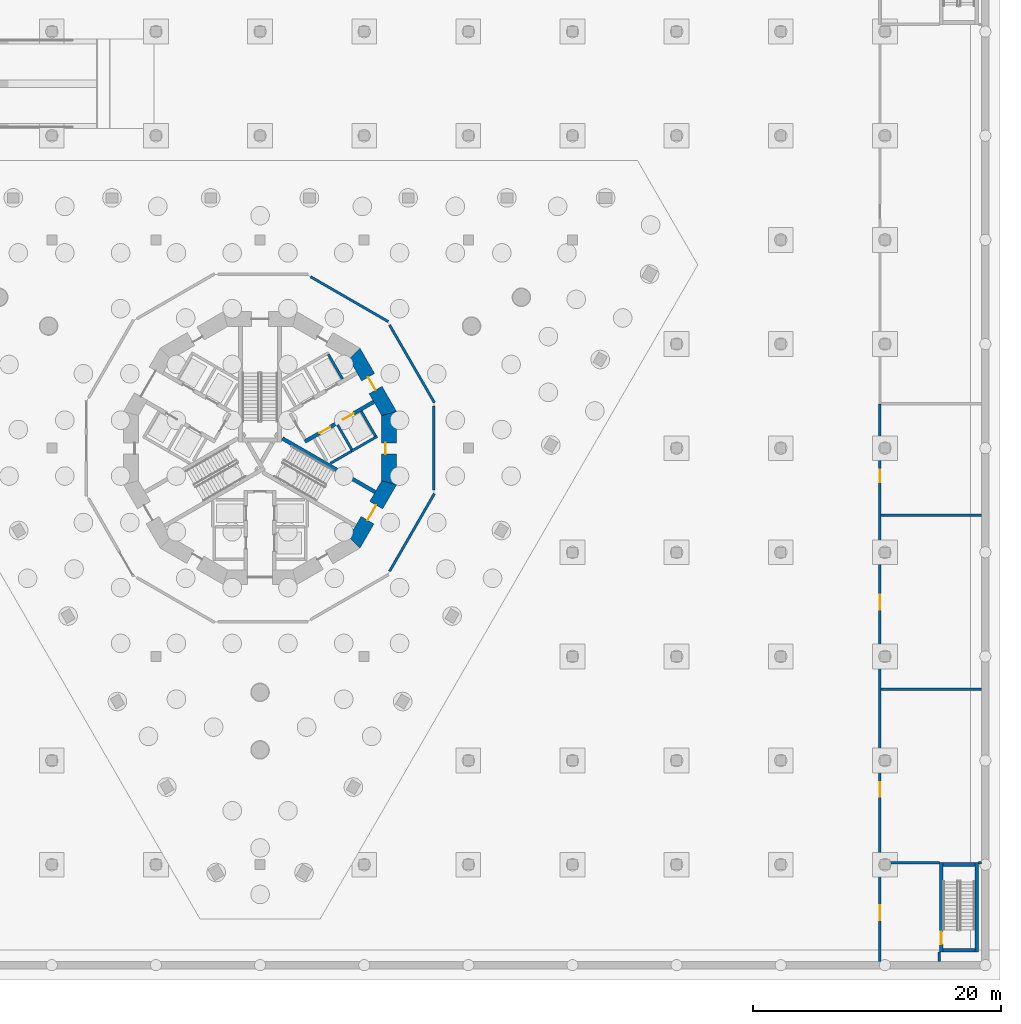
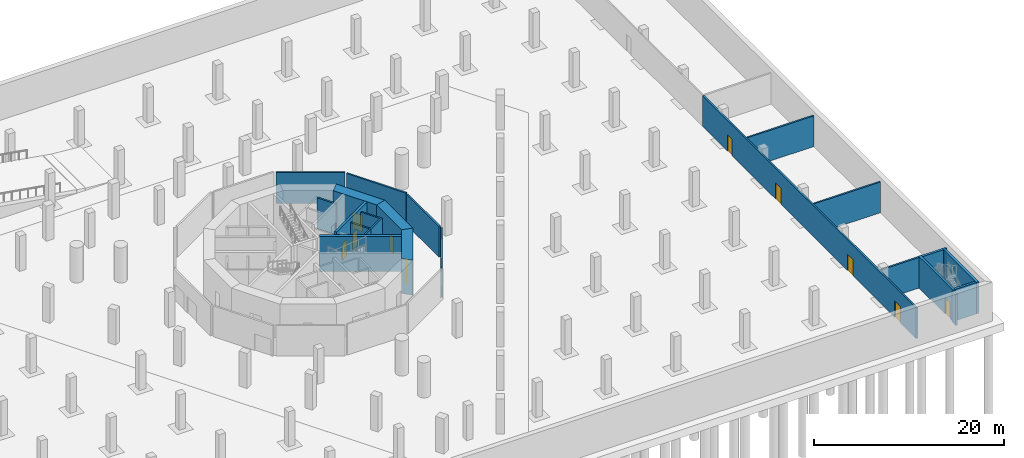
# One storey, part 10 of 23: 24 walls, 10 doors, 10 openings.
"""IFC4 building model written with IfcOpenShell, lengths in metres."""

from ifc_helpers import new_model, si_unit, direction, frame, frame_2d, origin, place, context, subcontext, project, spatial, polyline, rectangle, outline, extrude, material, layer, layer_set, type_object, element, fill, save


model = new_model("IFC4")

# Units and contexts
model_context = context("Model", 3, precision=1e-05, world=origin(), true_north=direction((0.0, 1.0)))
body_context = subcontext(model_context, "Body", "Model", "MODEL_VIEW")
ifc_project = project(units=[si_unit("LENGTHUNIT", "METRE"), si_unit("AREAUNIT", "SQUARE_METRE"), si_unit("VOLUMEUNIT", "CUBIC_METRE"), si_unit("PLANEANGLEUNIT", "RADIAN"), si_unit("MASSUNIT", "GRAM", prefix="KILO")], contexts=[model_context])

# Site, building, storey
site_placement = place(None, origin())
site = spatial("IfcSite", under=ifc_project, at=site_placement, CompositionType="ELEMENT")
building_placement = place(site_placement, origin())
building = spatial("IfcBuilding", under=site, at=building_placement, Name="Trine Commons Tower", CompositionType="ELEMENT")
storey_placement = place(building_placement, frame((0.0, 0.0, -9.0)))
storey = spatial("IfcBuildingStorey", under=building, at=storey_placement, Name="B2", CompositionType="ELEMENT", Elevation=-9.0)

# Walls
ifc_material_1 = material(Name="Plasterboard on steel stud", Category="steel")
ifc_layer_1 = layer(ifc_material_1, 0.199951171875)
ifc_layer_set_1 = layer_set([ifc_layer_1], Name="Plasterboard on steel stud")
wall_type_1 = type_object("IfcWallType", Name="Fire wall 200 mm, EI 120", PredefinedType="PARTITIONING", material=ifc_layer_set_1)
wall_1_placement = place(storey_placement, frame((84.07763671875, 76.324951171875, 0.0), z_axis=(0.0, 0.0, 1.0), x_axis=(0.866029378036, -0.499993116331, 0.0)))
element("IfcWall", 1, at=wall_1_placement, inside=storey, type_object=wall_type_1, Name="Partition B2022", PredefinedType="PARTITIONING", context=body_context, shape_type="SweptSolid", body=[
    extrude(rectangle(XDim=7.2353515625, YDim=0.199951171875, at=frame_2d((3.61767578125, 0.0))), origin(), (0.0, 0.0, 1.0), 3.949951171875),
])
for number, where, z_axis, x_axis, name in (
    (2, (90.44384765625, 52.56591796875, 0.0), (0.0, 0.0, 1.0), (0.499978505984, 0.866037813005, 0.0), "Partition B2023"),
    (3, (90.44384765625, 72.43408203125, 0.0), (0.0, 0.0, 1.0), (0.499978505984, -0.866037813005, 0.0), "Partition B2024"),
):
    element("IfcWall", number, at=place(storey_placement, frame(where, z_axis=z_axis, x_axis=x_axis)), inside=storey, type_object=wall_type_1, Name=name, PredefinedType="PARTITIONING", context=body_context, shape_type="SweptSolid", body=[
        extrude(rectangle(XDim=7.235595703125, YDim=0.199951171875, at=frame_2d((3.61767578125, 0.0))), origin(), (0.0, 0.0, 1.0), 3.949951171875),
    ])
wall_2_placement = place(storey_placement, frame((94.011474609375, 59.118896484375, 0.0), z_axis=(0.0, 0.0, 1.0), x_axis=(0.0, 1.0, 0.0)))
element("IfcWall", 4, at=wall_2_placement, inside=storey, type_object=wall_type_1, Name="Partition B2025", PredefinedType="PARTITIONING", context=body_context, shape_type="SweptSolid", body=[
    extrude(rectangle(XDim=6.76220703125, YDim=0.199951171875, at=frame_2d((3.381103515625, 0.0))), origin(), (0.0, 0.0, 1.0), 3.949951171875),
])

# Wall, openings, doors
wall_3_placement = place(storey_placement, frame((130.0, 21.10009765625, 0.0), z_axis=(0.0, 0.0, 1.0), x_axis=(0.0, 1.0, 0.0)))
wall_3 = element("IfcWall", 5, at=wall_3_placement, inside=storey, type_object=wall_type_1, Name="Partition B2026", PredefinedType="PARTITIONING", context=body_context, shape_type="SweptSolid", body=[
    extrude(rectangle(XDim=44.97021484375, YDim=0.199951171875, at=frame_2d((22.485107421875, 0.0))), origin(), (0.0, 0.0, 1.0), 3.949951171875),
])
opening_1_placement = place(wall_3_placement, frame((3.31005859375, 0.0, 0.0)))
opening_1 = element("IfcOpeningElement", 6, at=opening_1_placement, cuts=wall_3, Name="Opening D-B211", PredefinedType="OPENING", context=body_context, shape_type="SweptSolid", body=[
    extrude(rectangle(XDim=1.199951171875, YDim=2.10009765625, at=frame_2d((0.60009765625, 1.050048828125))), frame((0.0, 0.10986328125, 0.0), z_axis=(0.0, -1.0, 0.0), x_axis=(1.0, 0.0, 0.0)), (0.0, 0.0, 1.0), 0.219970703125),
])
opening_2_placement = place(wall_3_placement, frame((13.27001953125, 0.0, 0.0)))
opening_2 = element("IfcOpeningElement", 7, at=opening_2_placement, cuts=wall_3, Name="Opening D-B212", PredefinedType="OPENING", context=body_context, shape_type="SweptSolid", body=[
    extrude(rectangle(XDim=1.199951171875, YDim=2.10009765625, at=frame_2d((0.60009765625, 1.050048828125))), frame((0.0, 0.10986328125, 0.0), z_axis=(0.0, -1.0, 0.0), x_axis=(1.0, 0.0, 0.0)), (0.0, 0.0, 1.0), 0.219970703125),
])
opening_3_placement = place(wall_3_placement, frame((28.3701171875, 0.0, 0.0)))
opening_3 = element("IfcOpeningElement", 8, at=opening_3_placement, cuts=wall_3, Name="Opening D-B213", PredefinedType="OPENING", context=body_context, shape_type="SweptSolid", body=[
    extrude(rectangle(XDim=1.199951171875, YDim=2.10009765625, at=frame_2d((0.60009765625, 1.050048828125))), frame((0.0, 0.10986328125, 0.0), z_axis=(0.0, -1.0, 0.0), x_axis=(1.0, 0.0, 0.0)), (0.0, 0.0, 1.0), 0.219970703125),
])
opening_4_placement = place(wall_3_placement, frame((38.669921875, 0.0, 0.0)))
opening_4 = element("IfcOpeningElement", 9, at=opening_4_placement, cuts=wall_3, Name="Opening D-B214", PredefinedType="OPENING", context=body_context, shape_type="SweptSolid", body=[
    extrude(rectangle(XDim=1.0, YDim=2.10009765625, at=frame_2d((0.5, 1.050048828125))), frame((0.0, 0.10986328125, 0.0), z_axis=(0.0, -1.0, 0.0), x_axis=(1.0, 0.0, 0.0)), (0.0, 0.0, 1.0), 0.219970703125),
])
ifc_material_2 = material(Name="Timber fire door set", Category="wood")
door_type_1 = type_object("IfcDoorType", Name="Single swing door 1000x2100, FD60", OperationType="SINGLE_SWING_LEFT", PredefinedType="DOOR", material=ifc_material_2)
door_1_placement = place(opening_4_placement, origin())
door_1 = element("IfcDoor", 10, at=door_1_placement, inside=storey, type_object=door_type_1, Name="Door D-B214", OperationType="SINGLE_SWING_LEFT", OverallHeight=2.10009765625, OverallWidth=1.0, PredefinedType="DOOR", context=body_context, shape_type="SweptSolid", body=[
    extrude(rectangle(XDim=1.0, YDim=2.10009765625, at=frame_2d((0.5, 1.050048828125))), frame((0.0, 0.02490234375, 0.0), z_axis=(0.0, -1.0, 0.0), x_axis=(1.0, 0.0, 0.0)), (0.0, 0.0, 1.0), 0.050048828125),
])
fill(opening_4, door_1)
door_type_2 = type_object("IfcDoorType", Name="Single swing door 1200x2100, FD60", OperationType="SINGLE_SWING_LEFT", PredefinedType="DOOR", material=ifc_material_2)
door_2_placement = place(opening_1_placement, origin())
door_2 = element("IfcDoor", 11, at=door_2_placement, inside=storey, type_object=door_type_2, Name="Door D-B211", OperationType="SINGLE_SWING_LEFT", OverallHeight=2.10009765625, OverallWidth=1.199951171875, PredefinedType="DOOR", context=body_context, shape_type="SweptSolid", body=[
    extrude(rectangle(XDim=1.199951171875, YDim=2.10009765625, at=frame_2d((0.60009765625, 1.050048828125))), frame((0.0, 0.02490234375, 0.0), z_axis=(0.0, -1.0, 0.0), x_axis=(1.0, 0.0, 0.0)), (0.0, 0.0, 1.0), 0.050048828125),
])
fill(opening_1, door_2)
door_3_placement = place(opening_2_placement, origin())
door_3 = element("IfcDoor", 12, at=door_3_placement, inside=storey, type_object=door_type_2, Name="Door D-B212", OperationType="SINGLE_SWING_LEFT", OverallHeight=2.10009765625, OverallWidth=1.199951171875, PredefinedType="DOOR", context=body_context, shape_type="SweptSolid", body=[
    extrude(rectangle(XDim=1.199951171875, YDim=2.10009765625, at=frame_2d((0.60009765625, 1.050048828125))), frame((0.0, 0.02490234375, 0.0), z_axis=(0.0, -1.0, 0.0), x_axis=(1.0, 0.0, 0.0)), (0.0, 0.0, 1.0), 0.050048828125),
])
fill(opening_2, door_3)
door_4_placement = place(opening_3_placement, origin())
door_4 = element("IfcDoor", 13, at=door_4_placement, inside=storey, type_object=door_type_2, Name="Door D-B213", OperationType="SINGLE_SWING_LEFT", OverallHeight=2.10009765625, OverallWidth=1.199951171875, PredefinedType="DOOR", context=body_context, shape_type="SweptSolid", body=[
    extrude(rectangle(XDim=1.199951171875, YDim=2.10009765625, at=frame_2d((0.60009765625, 1.050048828125))), frame((0.0, 0.02490234375, 0.0), z_axis=(0.0, -1.0, 0.0), x_axis=(1.0, 0.0, 0.0)), (0.0, 0.0, 1.0), 0.050048828125),
])
fill(opening_3, door_4)

# Walls
wall_4_placement = place(storey_placement, frame((130.10009765625, 29.070068359375, 0.0), z_axis=(0.0, 0.0, 1.0), x_axis=(1.0, 0.0, 0.0)))
element("IfcWall", 14, at=wall_4_placement, inside=storey, type_object=wall_type_1, Name="Partition B2027", PredefinedType="PARTITIONING", context=body_context, shape_type="SweptSolid", body=[
    extrude(rectangle(XDim=4.7001953125, YDim=0.199951171875, at=frame_2d((2.35009765625, 0.0))), origin(), (0.0, 0.0, 1.0), 3.949951171875),
])
for number, where, z_axis, x_axis, name in (
    (15, (130.10009765625, 43.070068359375, 0.0), (0.0, 0.0, 1.0), (1.0, 0.0, 0.0), "Partition B2028"),
    (16, (130.10009765625, 57.070068359375, 0.0), (0.0, 0.0, 1.0), (1.0, 0.0, 0.0), "Partition B2029"),
):
    element("IfcWall", number, at=place(storey_placement, frame(where, z_axis=z_axis, x_axis=x_axis)), inside=storey, type_object=wall_type_1, Name=name, PredefinedType="PARTITIONING", context=body_context, shape_type="SweptSolid", body=[
        extrude(rectangle(XDim=8.099853515625, YDim=0.199951171875, at=frame_2d((4.0498046875, 0.0))), origin(), (0.0, 0.0, 1.0), 3.949951171875),
    ])
wall_5_placement = place(storey_placement, frame((134.800048828125, 21.10009765625, 0.0), z_axis=(0.0, 0.0, 1.0), x_axis=(0.0, 1.0, 0.0)))
element("IfcWall", 17, at=wall_5_placement, inside=storey, type_object=wall_type_1, Name="Partition B2034", PredefinedType="PARTITIONING", context=body_context, shape_type="SweptSolid", body=[
    extrude(rectangle(XDim=0.747802734375, YDim=0.199951171875, at=frame_2d((0.3740234375, 0.0))), origin(), (0.0, 0.0, 1.0), 3.949951171875),
])
wall_6_placement = place(storey_placement, frame((137.951904296875, 29.070068359375, 0.0), z_axis=(0.0, 0.0, 1.0), x_axis=(1.0, 0.0, 0.0)))
element("IfcWall", 18, at=wall_6_placement, inside=storey, type_object=wall_type_1, Name="Partition B2035", PredefinedType="PARTITIONING", context=body_context, shape_type="SweptSolid", body=[
    extrude(rectangle(XDim=0.248046875, YDim=0.199951171875, at=frame_2d((0.1240234375, 0.0))), origin(), (0.0, 0.0, 1.0), 3.949951171875),
])

# Wall, opening, door
ifc_material_3 = material(Name="Concrete C80/95", Category="concrete")
ifc_layer_2 = layer(ifc_material_3, 1.199951171875)
ifc_layer_set_2 = layer_set([ifc_layer_2], Name="Concrete C80/95")
wall_type_2 = type_object("IfcWallType", Name="RC shear wall 1200 mm, C80/95", PredefinedType="SHEAR", material=ifc_layer_set_2)
wall_7_placement = place(storey_placement, frame((90.41162109375, 59.549560546875, 0.0), z_axis=(0.0, 0.0, 1.0), x_axis=(0.0, 1.0, 0.0)))
wall_7 = element("IfcWall", 19, at=wall_7_placement, inside=storey, type_object=wall_type_2, Name="Core wall CWA-01 B2", PredefinedType="SHEAR", context=body_context, shape_type="SweptSolid", body=[
    extrude(outline(polyline([(0.0, -0.60009765625), (5.90087890625, -0.60009765625), (5.57958984375, 0.60009765625), (0.321533203125, 0.60009765625), (0.0, -0.60009765625)])), origin(), (0.0, 0.0, 1.0), 4.5),
])
opening_5_placement = place(wall_7_placement, frame((2.4755859375, 0.0, 0.0)))
opening_5 = element("IfcOpeningElement", 20, at=opening_5_placement, cuts=wall_7, Name="Opening K01.16", PredefinedType="OPENING", context=body_context, shape_type="SweptSolid", body=[
    extrude(rectangle(XDim=0.89990234375, YDim=2.10009765625, at=frame_2d((0.449951171875, 1.050048828125))), frame((0.0, 0.60986328125, 0.0), z_axis=(0.0, -1.0, 0.0), x_axis=(1.0, 0.0, 0.0)), (0.0, 0.0, 1.0), 1.219970703125),
])
ifc_material_4 = material(Name="Steel door leaf, fire-rated", Category="steel")
door_type_3 = type_object("IfcDoorType", Name="Core room door, single leaf 900 x 2100, FD30S", OperationType="SINGLE_SWING_LEFT", PredefinedType="DOOR", material=ifc_material_4)
door_5_placement = place(opening_5_placement, origin())
door_5 = element("IfcDoor", 21, at=door_5_placement, inside=storey, type_object=door_type_3, Name="Door to Store B2", OperationType="SINGLE_SWING_LEFT", OverallHeight=2.10009765625, OverallWidth=0.89990234375, PredefinedType="DOOR", context=body_context, shape_type="SweptSolid", body=[
    extrude(rectangle(XDim=0.89990234375, YDim=2.10009765625, at=frame_2d((0.449951171875, 1.050048828125))), frame((0.0, 0.3251953125, 0.0), z_axis=(0.0, -1.0, 0.0), x_axis=(1.0, 0.0, 0.0)), (0.0, 0.0, 1.0), 0.050048828125),
])
fill(opening_5, door_5)

wall_8_placement = place(storey_placement, frame((90.491943359375, 65.150390625, 0.0), z_axis=(0.0, 0.0, 1.0), x_axis=(-0.499979111662, 0.866037463336, 0.0)))
wall_8 = element("IfcWall", 22, at=wall_8_placement, inside=storey, type_object=wall_type_2, Name="Core wall CWA-02 B2", PredefinedType="SHEAR", context=body_context, shape_type="SweptSolid", body=[
    extrude(outline(polyline([(0.0, -0.60009765625), (5.901123046875, -0.60009765625), (5.57958984375, 0.60009765625), (0.321533203125, 0.60009765625), (0.0, -0.60009765625)])), origin(), (0.0, 0.0, 1.0), 4.5),
])
opening_6_placement = place(wall_8_placement, frame((2.3505859375, 0.0, 0.0)))
opening_6 = element("IfcOpeningElement", 23, at=opening_6_placement, cuts=wall_8, Name="Opening K01.04", PredefinedType="OPENING", context=body_context, shape_type="SweptSolid", body=[
    extrude(rectangle(XDim=1.199951171875, YDim=2.10009765625, at=frame_2d((0.60009765625, 1.050048828125))), frame((0.0, 0.60986328125, 0.0), z_axis=(0.0, -1.0, 0.0), x_axis=(1.0, 0.0, 0.0)), (0.0, 0.0, 1.0), 1.219970703125),
])
ifc_material_5 = material(Name="Steel door leaves, fire-rated", Category="steel")
door_type_4 = type_object("IfcDoorType", Name="Lobby door, double leaf 1200 x 2100, FD60", OperationType="DOUBLE_DOOR_SINGLE_SWING", PredefinedType="DOOR", material=ifc_material_5)
door_6_placement = place(opening_6_placement, origin())
door_6 = element("IfcDoor", 24, at=door_6_placement, inside=storey, type_object=door_type_4, Name="Lobby door, Passenger lift lobby A B2", OperationType="DOUBLE_DOOR_SINGLE_SWING", OverallHeight=2.10009765625, OverallWidth=1.199951171875, PredefinedType="DOOR", context=body_context, shape_type="SweptSolid", body=[
    extrude(rectangle(XDim=1.199951171875, YDim=2.10009765625, at=frame_2d((0.60009765625, 1.050048828125))), frame((0.0, 0.02490234375, 0.0), z_axis=(0.0, -1.0, 0.0), x_axis=(1.0, 0.0, 0.0)), (0.0, 0.0, 1.0), 0.050048828125),
])
fill(opening_6, door_6)

wall_9_placement = place(storey_placement, frame((87.54150390625, 54.739013671875, 0.0), z_axis=(0.0, 0.0, 1.0), x_axis=(0.499979111662, 0.866037463336, 0.0)))
wall_9 = element("IfcWall", 25, at=wall_9_placement, inside=storey, type_object=wall_type_2, Name="Core wall CWA-12 B2", PredefinedType="SHEAR", context=body_context, shape_type="SweptSolid", body=[
    extrude(outline(polyline([(0.0, -0.60009765625), (5.901123046875, -0.60009765625), (5.57958984375, 0.60009765625), (0.321533203125, 0.60009765625), (0.0, -0.60009765625)])), origin(), (0.0, 0.0, 1.0), 4.5),
])
opening_7_placement = place(wall_9_placement, frame((2.25048828125, 0.0, 0.0)))
opening_7 = element("IfcOpeningElement", 26, at=opening_7_placement, cuts=wall_9, Name="Opening K01.03", PredefinedType="OPENING", context=body_context, shape_type="SweptSolid", body=[
    extrude(rectangle(XDim=1.39990234375, YDim=2.10009765625, at=frame_2d((0.699951171875, 1.050048828125))), frame((0.0, 0.60986328125, 0.0), z_axis=(0.0, -1.0, 0.0), x_axis=(1.0, 0.0, 0.0)), (0.0, 0.0, 1.0), 1.219970703125),
])
door_type_5 = type_object("IfcDoorType", Name="Stair door, double leaf 1400 x 2100, FD90", OperationType="DOUBLE_DOOR_SINGLE_SWING", PredefinedType="DOOR", material=ifc_material_5)
door_7_placement = place(opening_7_placement, origin())
door_7 = element("IfcDoor", 27, at=door_7_placement, inside=storey, type_object=door_type_5, Name="Stair door to Exit stair ST3A B2", OperationType="DOUBLE_DOOR_SINGLE_SWING", OverallHeight=2.10009765625, OverallWidth=1.39990234375, PredefinedType="DOOR", context=body_context, shape_type="SweptSolid", body=[
    extrude(rectangle(XDim=1.39990234375, YDim=2.10009765625, at=frame_2d((0.699951171875, 1.050048828125))), frame((0.0, 0.02490234375, 0.0), z_axis=(0.0, -1.0, 0.0), x_axis=(1.0, 0.0, 0.0)), (0.0, 0.0, 1.0), 0.050048828125),
])
fill(opening_7, door_7)

# Wall, openings, doors
ifc_layer_3 = layer(ifc_material_3, 0.300048828125)
ifc_layer_set_3 = layer_set([ifc_layer_3], Name="Concrete C80/95")
wall_type_3 = type_object("IfcWallType", Name="RC shear wall 300 mm, C80/95", PredefinedType="SHEAR", material=ifc_layer_set_3)
wall_10_placement = place(storey_placement, frame((83.618896484375, 63.031005859375, 0.0), z_axis=(0.0, 0.0, 1.0), x_axis=(0.866032150378, 0.499988314375, 0.0)))
wall_10 = element("IfcWall", 28, at=wall_10_placement, inside=storey, type_object=wall_type_3, Name="Core wall SWA-06 B2", PredefinedType="SHEAR", context=body_context, shape_type="SweptSolid", body=[
    extrude(rectangle(XDim=6.412353515625, YDim=0.300048828125, at=frame_2d((3.2060546875, 0.0))), origin(), (0.0, 0.0, 1.0), 4.5),
])
opening_8_placement = place(wall_10_placement, frame((3.55029296875, 0.0, 0.0)))
opening_8 = element("IfcOpeningElement", 29, at=opening_8_placement, cuts=wall_10, Name="Opening LD2", PredefinedType="OPENING", context=body_context, shape_type="SweptSolid", body=[
    extrude(rectangle(XDim=1.0, YDim=2.10009765625, at=frame_2d((0.5, 1.050048828125))), frame((0.0, 0.159912109375, 0.0), z_axis=(0.0, -1.0, 0.0), x_axis=(1.0, 0.0, 0.0)), (0.0, 0.0, 1.0), 0.320068359375),
])
opening_9_placement = place(wall_10_placement, frame((1.350341796875, 0.0, 0.0)))
opening_9 = element("IfcOpeningElement", 30, at=opening_9_placement, cuts=wall_10, Name="Opening LD6", PredefinedType="OPENING", context=body_context, shape_type="SweptSolid", body=[
    extrude(rectangle(XDim=1.0, YDim=2.10009765625, at=frame_2d((0.5, 1.050048828125))), frame((0.0, 0.159912109375, 0.0), z_axis=(0.0, -1.0, 0.0), x_axis=(1.0, 0.0, 0.0)), (0.0, 0.0, 1.0), 0.320068359375),
])
ifc_material_6 = material(Name="Stainless steel sliding door leaves", Category="steel")
door_type_6 = type_object("IfcDoorType", Name="Lift landing door, centre-opening sliding 1000 x 2100, FD90", OperationType="DOUBLE_DOOR_SLIDING", PredefinedType="DOOR", material=ifc_material_6)
door_8_placement = place(opening_8_placement, origin())
door_8 = element("IfcDoor", 31, at=door_8_placement, inside=storey, type_object=door_type_6, Name="Lift landing door LR2 B2", OperationType="DOUBLE_DOOR_SLIDING", OverallHeight=2.10009765625, OverallWidth=1.0, PredefinedType="DOOR", context=body_context, shape_type="SweptSolid", body=[
    extrude(rectangle(XDim=1.0, YDim=2.10009765625, at=frame_2d((0.5, 1.050048828125))), frame((0.0, 0.02490234375, 0.0), z_axis=(0.0, -1.0, 0.0), x_axis=(1.0, 0.0, 0.0)), (0.0, 0.0, 1.0), 0.050048828125),
])
fill(opening_8, door_8)
door_9_placement = place(opening_9_placement, origin())
door_9 = element("IfcDoor", 32, at=door_9_placement, inside=storey, type_object=door_type_6, Name="Lift landing door HR2 B2", OperationType="DOUBLE_DOOR_SLIDING", OverallHeight=2.10009765625, OverallWidth=1.0, PredefinedType="DOOR", context=body_context, shape_type="SweptSolid", body=[
    extrude(rectangle(XDim=1.0, YDim=2.10009765625, at=frame_2d((0.5, 1.050048828125))), frame((0.0, 0.02490234375, 0.0), z_axis=(0.0, -1.0, 0.0), x_axis=(1.0, 0.0, 0.0)), (0.0, 0.0, 1.0), 0.050048828125),
])
fill(opening_9, door_9)

# Walls
wall_11_placement = place(storey_placement, frame((81.800048828125, 63.280029296875, 0.0), z_axis=(0.0, 0.0, 1.0), x_axis=(0.865965399159, -0.500103916661, 0.0)))
element("IfcWall", 33, at=wall_11_placement, inside=storey, type_object=wall_type_3, Name="Core wall SWA-18 B2", PredefinedType="SHEAR", context=body_context, shape_type="SweptSolid", body=[
    extrude(rectangle(XDim=8.642333984375, YDim=0.300048828125, at=frame_2d((4.3212890625, 0.0))), origin(), (0.0, 0.0, 1.0), 4.5),
])
ifc_material_7 = material(Name="Concrete C40/50", Category="concrete")
ifc_layer_4 = layer(ifc_material_7, 0.300048828125)
ifc_layer_set_4 = layer_set([ifc_layer_4], Name="Concrete C40/50")
wall_type_4 = type_object("IfcWallType", Name="RC stair enclosure wall 300 mm, C40/50", PredefinedType="SHEAR", material=ifc_layer_set_4)
wall_12_placement = place(storey_placement, frame((137.800048828125, 21.85009765625, 0.0), z_axis=(0.0, 0.0, 1.0), x_axis=(0.0, 1.0, 0.0)))
element("IfcWall", 34, at=wall_12_placement, inside=storey, type_object=wall_type_4, Name="Stair STB2 enclosure wall B2", PredefinedType="SHEAR", context=body_context, shape_type="SweptSolid", body=[
    extrude(rectangle(XDim=7.219970703125, YDim=0.300048828125, at=frame_2d((3.60986328125, 0.0))), origin(), (0.0, 0.0, 1.0), 4.050048828125),
])

# Wall, opening, door
wall_13_placement = place(storey_placement, frame((134.949951171875, 21.85009765625, 0.0), z_axis=(0.0, 0.0, 1.0), x_axis=(0.0, 1.0, 0.0)))
wall_13 = element("IfcWall", 35, at=wall_13_placement, inside=storey, type_object=wall_type_4, Name="Stair STB2 enclosure wall B2", PredefinedType="SHEAR", context=body_context, shape_type="SweptSolid", body=[
    extrude(rectangle(XDim=7.219970703125, YDim=0.300048828125, at=frame_2d((3.60986328125, 0.0))), origin(), (0.0, 0.0, 1.0), 4.050048828125),
])
opening_10_placement = place(wall_13_placement, frame((0.64990234375, 0.0, 0.0)))
opening_10 = element("IfcOpeningElement", 36, at=opening_10_placement, cuts=wall_13, Name="Opening D-S04", PredefinedType="OPENING", context=body_context, shape_type="SweptSolid", body=[
    extrude(rectangle(XDim=1.0, YDim=2.10009765625, at=frame_2d((0.5, 1.050048828125))), frame((0.0, 0.159912109375, 0.0), z_axis=(0.0, -1.0, 0.0), x_axis=(1.0, 0.0, 0.0)), (0.0, 0.0, 1.0), 0.320068359375),
])
ifc_material_8 = material(Name="Steel fire door FD90S", Category="steel")
door_type_7 = type_object("IfcDoorType", Name="Fire door 1000 x 2100, FD90S", OperationType="SINGLE_SWING_LEFT", PredefinedType="DOOR", material=ifc_material_8)
door_10_placement = place(opening_10_placement, origin())
door_10 = element("IfcDoor", 37, at=door_10_placement, inside=storey, type_object=door_type_7, Name="Stair STB2 door B2", OperationType="SINGLE_SWING_LEFT", OverallHeight=2.10009765625, OverallWidth=1.0, PredefinedType="DOOR", context=body_context, shape_type="SweptSolid", body=[
    extrude(rectangle(XDim=1.0, YDim=2.10009765625, at=frame_2d((0.5, 1.050048828125))), frame((0.0, 0.02490234375, 0.0), z_axis=(0.0, -1.0, 0.0), x_axis=(1.0, 0.0, 0.0)), (0.0, 0.0, 1.0), 0.050048828125),
])
fill(opening_10, door_10)

# Walls
for number, where, z_axis, x_axis, name in (
    (38, (137.64990234375, 22.0, 0.0), (0.0, 0.0, 1.0), (-1.0, 0.0, 0.0), "Stair STB2 enclosure wall B2"),
    (39, (137.64990234375, 28.919921875, 0.0), (0.0, 0.0, 1.0), (-1.0, 0.0, 0.0), "Stair STB2 enclosure wall B2"),
):
    element("IfcWall", number, at=place(storey_placement, frame(where, z_axis=z_axis, x_axis=x_axis)), inside=storey, type_object=wall_type_4, Name=name, PredefinedType="SHEAR", context=body_context, shape_type="SweptSolid", body=[
        extrude(rectangle(XDim=2.5498046875, YDim=0.300048828125, at=frame_2d((1.27490234375, 0.0))), origin(), (0.0, 0.0, 1.0), 4.050048828125),
    ])
ifc_material_9 = material(Name="Fire-rated gypsum shaft wall system")
ifc_layer_5 = layer(ifc_material_9, 0.199951171875)
ifc_layer_set_5 = layer_set([ifc_layer_5], Name="Fire-rated gypsum shaft wall system")
wall_type_5 = type_object("IfcWallType", Name="Shaft wall 200 mm, EI 120", PredefinedType="PARTITIONING", material=ifc_layer_set_5)
wall_14_placement = place(storey_placement, frame((85.675048828125, 61.27294921875, 0.0), z_axis=(0.0, 0.0, 1.0), x_axis=(0.865780634835, 0.500423712812, 0.0)))
element("IfcWall", 40, at=wall_14_placement, inside=storey, type_object=wall_type_5, Name="Shaft wall B2", PredefinedType="PARTITIONING", context=body_context, shape_type="SweptSolid", body=[
    extrude(rectangle(XDim=1.948486328125, YDim=0.199951171875, at=frame_2d((0.97412109375, 0.0))), origin(), (0.0, 0.0, 1.0), 4.0),
])
wall_15_placement = place(storey_placement, frame((86.2490234375, 64.3759765625, 0.0), z_axis=(0.0, 0.0, 1.0), x_axis=(0.500136062276, -0.86594683394, 0.0)))
element("IfcWall", 41, at=wall_15_placement, inside=storey, type_object=wall_type_5, Name="Shaft wall B2", PredefinedType="PARTITIONING", context=body_context, shape_type="SweptSolid", body=[
    extrude(rectangle(XDim=2.299072265625, YDim=0.199951171875, at=frame_2d((1.1494140625, 0.0))), origin(), (0.0, 0.0, 1.0), 4.0),
])
wall_16_placement = place(storey_placement, frame((86.655029296875, 68.073974609375, 0.0), z_axis=(0.0, 0.0, 1.0), x_axis=(-0.500215680983, 0.865900844496, 0.0)))
element("IfcWall", 42, at=wall_16_placement, inside=storey, type_object=wall_type_5, Name="Shaft wall B2", PredefinedType="PARTITIONING", context=body_context, shape_type="SweptSolid", body=[
    extrude(rectangle(XDim=2.29931640625, YDim=0.199951171875, at=frame_2d((1.149658203125, 0.0))), origin(), (0.0, 0.0, 1.0), 4.0),
])
wall_17_placement = place(storey_placement, frame((87.362060546875, 62.248046875, 0.0), z_axis=(0.0, 0.0, 1.0), x_axis=(0.866177122335, 0.499737123639, 0.0)))
element("IfcWall", 43, at=wall_17_placement, inside=storey, type_object=wall_type_5, Name="Shaft wall B2", PredefinedType="PARTITIONING", context=body_context, shape_type="SweptSolid", body=[
    extrude(rectangle(XDim=2.401123046875, YDim=0.199951171875, at=frame_2d((1.20068359375, 0.0))), origin(), (0.0, 0.0, 1.0), 4.0),
])
wall_18_placement = place(storey_placement, frame((88.155029296875, 65.47607421875, 0.0), z_axis=(0.0, 0.0, 1.0), x_axis=(0.500136062276, -0.86594683394, 0.0)))
element("IfcWall", 44, at=wall_18_placement, inside=storey, type_object=wall_type_5, Name="Shaft wall B2", PredefinedType="PARTITIONING", context=body_context, shape_type="SweptSolid", body=[
    extrude(rectangle(XDim=2.299072265625, YDim=0.199951171875, at=frame_2d((1.1494140625, 0.0))), origin(), (0.0, 0.0, 1.0), 4.0),
])

save(model, "model.ifc")
